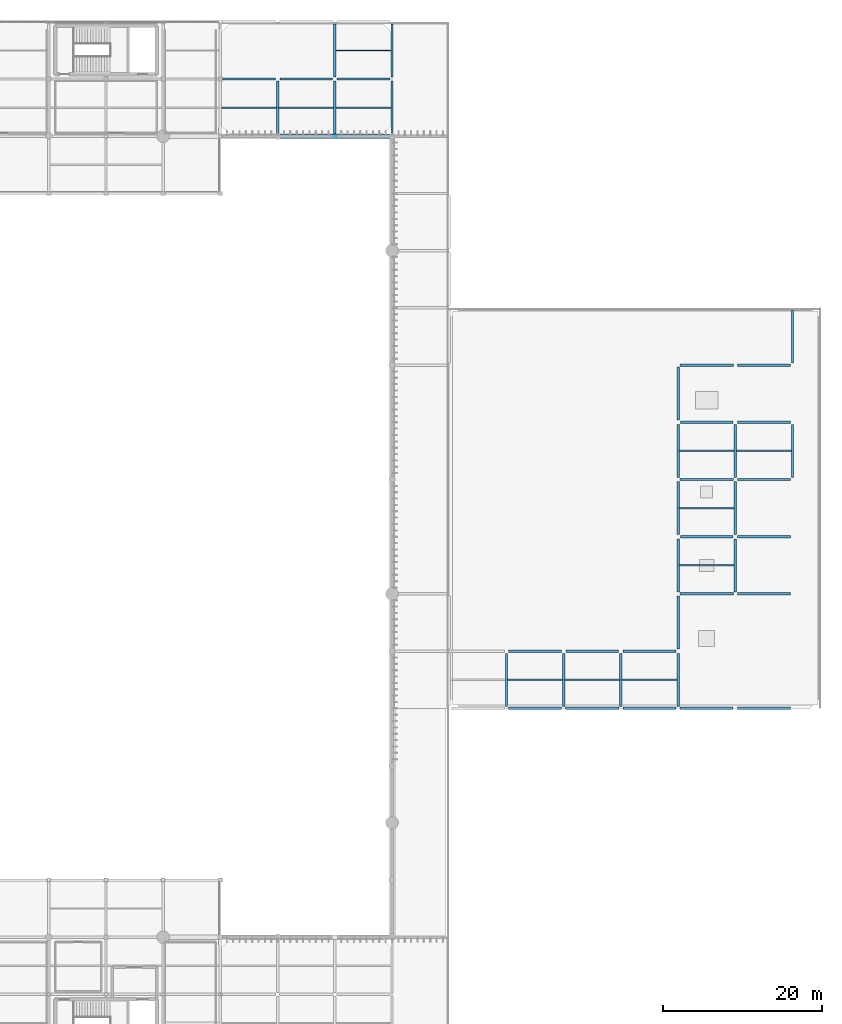
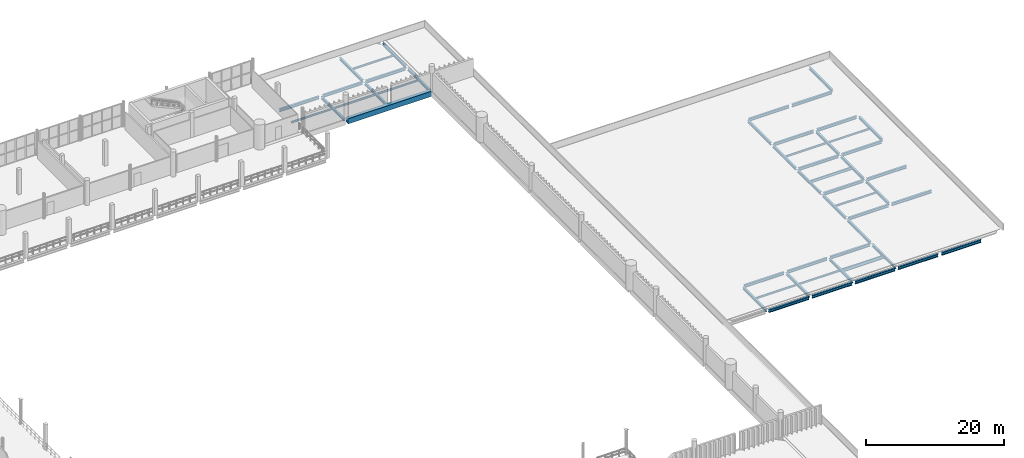
# One storey, part 42 of 81: 52 beams.
"""IFC4 building model written with IfcOpenShell, lengths in metres."""

from ifc_helpers import new_model, si_unit, direction, frame, origin, origin_2d, place, context, subcontext, project, spatial, rectangle, i_section, extrude, material, material_profile, profile_set, type_object, element, save


model = new_model("IFC4")

# Units and contexts
model_context = context("Model", 3, precision=1e-05, world=origin(), true_north=direction((0.0, 1.0)))
body_context = subcontext(model_context, "Body", "Model", "MODEL_VIEW")
ifc_project = project(units=[si_unit("LENGTHUNIT", "METRE"), si_unit("AREAUNIT", "SQUARE_METRE"), si_unit("VOLUMEUNIT", "CUBIC_METRE"), si_unit("PLANEANGLEUNIT", "RADIAN"), si_unit("MASSUNIT", "GRAM", prefix="KILO")], contexts=[model_context])

# Site, building, storey
site_placement = place(None, origin())
site = spatial("IfcSite", under=ifc_project, at=site_placement, CompositionType="ELEMENT")
building_placement = place(site_placement, origin())
building = spatial("IfcBuilding", under=site, at=building_placement, Name="Qandorah Velis Arena", CompositionType="ELEMENT")
storey_placement = place(building_placement, frame((0.0, 0.0, 18.60009765625)))
storey = spatial("IfcBuildingStorey", under=building, at=storey_placement, Name="L04", CompositionType="ELEMENT", Elevation=18.60009765625)

# Beams
ifc_material_1 = material(Name="Steel S355", Category="steel")
ifc_material_profile_1 = material_profile(ifc_material_1, i_section(OverallWidth=0.300048828125, OverallDepth=0.449951171875, WebThickness=0.013916015625, FlangeThickness=0.02587890625, FilletRadius=0.027099609375, at=origin_2d()), Name="HEB 450")
ifc_profile_set_1 = profile_set([ifc_material_profile_1], Name="Steel S355")
beam_type_1 = type_object("IfcBeamType", Name="STR-BM-HEB450", PredefinedType="BEAM", material=ifc_profile_set_1)
beam_1_placement = place(storey_placement, frame((100.800048828125, 115.550048828125, -0.4951171875), z_axis=(0.0, 1.0, 0.0), x_axis=(-1.0, 0.0, 0.0)))
element("IfcBeam", 1, at=beam_1_placement, inside=storey, type_object=beam_type_1, Name="Primary floor girder L04 Y-242", PredefinedType="BEAM", context=body_context, shape_type="SweptSolid", body=[
    extrude(i_section(OverallWidth=0.300048828125, OverallDepth=0.449951171875, WebThickness=0.013916015625, FlangeThickness=0.02587890625, FilletRadius=0.027099609375, at=origin_2d()), origin(), (0.0, 0.0, 1.0), 6.574951171875),
])
for number, where, z_axis, x_axis, name in (
    (2, (108.0, 115.449951171875, -0.4951171875), (0.0, 1.0, 0.0), (-1.0, 0.0, 0.0), "Primary floor girder L04 Y-245"),
    (3, (108.0, 122.675048828125, -0.4951171875), (0.0, 1.0, 0.0), (-1.0, 0.0, 0.0), "Primary floor girder L04 Y-246"),
):
    element("IfcBeam", number, at=place(storey_placement, frame(where, z_axis=z_axis, x_axis=x_axis)), inside=storey, type_object=beam_type_1, Name=name, PredefinedType="BEAM", context=body_context, shape_type="SweptSolid", body=[
        extrude(i_section(OverallWidth=0.300048828125, OverallDepth=0.449951171875, WebThickness=0.013916015625, FlangeThickness=0.02587890625, FilletRadius=0.027099609375, at=origin_2d()), origin(), (0.0, 0.0, 1.0), 6.675048828125),
    ])
beam_2_placement = place(storey_placement, frame((115.199951171875, 115.550048828125, -0.4951171875), z_axis=(0.0, 1.0, 0.0), x_axis=(-1.0, 0.0, 0.0)))
element("IfcBeam", 4, at=beam_2_placement, inside=storey, type_object=beam_type_1, Name="Primary floor girder L04 Y-249", PredefinedType="BEAM", context=body_context, shape_type="SweptSolid", body=[
    extrude(i_section(OverallWidth=0.300048828125, OverallDepth=0.449951171875, WebThickness=0.013916015625, FlangeThickness=0.02587890625, FilletRadius=0.027099609375, at=origin_2d()), origin(), (0.0, 0.0, 1.0), 6.574951171875),
])
for number, where, z_axis, x_axis, name in (
    (5, (115.199951171875, 122.675048828125, -0.4951171875), (0.0, 1.0, 0.0), (-1.0, 0.0, 0.0), "Primary floor girder L04 Y-250"),
    (6, (129.60009765625, 43.449951171875, -0.4951171875), (0.0, 1.0, 0.0), (-1.0, 0.0, 0.0), "Primary floor girder L04 Y-256"),
    (7, (136.800048828125, 43.449951171875, -0.4951171875), (0.0, 1.0, 0.0), (-1.0, 0.0, 0.0), "Primary floor girder L04 Y-257"),
    (8, (144.0, 43.449951171875, -0.4951171875), (0.0, 1.0, 0.0), (-1.0, 0.0, 0.0), "Primary floor girder L04 Y-258"),
    (9, (151.199951171875, 43.449951171875, -0.4951171875), (0.0, 1.0, 0.0), (-1.0, 0.0, 0.0), "Primary floor girder L04 Y-259"),
    (10, (151.199951171875, 50.675048828125, -0.4951171875), (0.0, 1.0, 0.0), (-1.0, 0.0, 0.0), "Primary floor girder L04 Y-260"),
):
    element("IfcBeam", number, at=place(storey_placement, frame(where, z_axis=z_axis, x_axis=x_axis)), inside=storey, type_object=beam_type_1, Name=name, PredefinedType="BEAM", context=body_context, shape_type="SweptSolid", body=[
        extrude(i_section(OverallWidth=0.300048828125, OverallDepth=0.449951171875, WebThickness=0.013916015625, FlangeThickness=0.02587890625, FilletRadius=0.027099609375, at=origin_2d()), origin(), (0.0, 0.0, 1.0), 6.675048828125),
    ])
beam_3_placement = place(storey_placement, frame((151.199951171875, 57.85009765625, -0.4951171875), z_axis=(0.0, 1.0, 0.0), x_axis=(-1.0, 0.0, 0.0)))
element("IfcBeam", 11, at=beam_3_placement, inside=storey, type_object=beam_type_1, Name="Primary floor girder L04 Y-261", PredefinedType="BEAM", context=body_context, shape_type="SweptSolid", body=[
    extrude(i_section(OverallWidth=0.300048828125, OverallDepth=0.449951171875, WebThickness=0.013916015625, FlangeThickness=0.02587890625, FilletRadius=0.027099609375, at=origin_2d()), origin(), (0.0, 0.0, 1.0), 6.6748046875),
])
for number, where, z_axis, x_axis, name in (
    (12, (151.199951171875, 65.074951171875, -0.4951171875), (0.0, 1.0, 0.0), (-1.0, 0.0, 0.0), "Primary floor girder L04 Y-262"),
    (13, (151.199951171875, 72.25, -0.4951171875), (0.0, 1.0, 0.0), (-1.0, 0.0, 0.0), "Primary floor girder L04 Y-263"),
):
    element("IfcBeam", number, at=place(storey_placement, frame(where, z_axis=z_axis, x_axis=x_axis)), inside=storey, type_object=beam_type_1, Name=name, PredefinedType="BEAM", context=body_context, shape_type="SweptSolid", body=[
        extrude(i_section(OverallWidth=0.300048828125, OverallDepth=0.449951171875, WebThickness=0.013916015625, FlangeThickness=0.02587890625, FilletRadius=0.027099609375, at=origin_2d()), origin(), (0.0, 0.0, 1.0), 6.675048828125),
    ])
for number, where, z_axis, x_axis, name in (
    (14, (151.199951171875, 79.47509765625, -0.4951171875), (0.0, 1.0, 0.0), (-1.0, 0.0, 0.0), "Primary floor girder L04 Y-264"),
    (15, (158.39990234375, 57.85009765625, -0.4951171875), (0.0, 1.0, 0.0), (-1.0, 0.0, 0.0), "Primary floor girder L04 Y-265"),
):
    element("IfcBeam", number, at=place(storey_placement, frame(where, z_axis=z_axis, x_axis=x_axis)), inside=storey, type_object=beam_type_1, Name=name, PredefinedType="BEAM", context=body_context, shape_type="SweptSolid", body=[
        extrude(i_section(OverallWidth=0.300048828125, OverallDepth=0.449951171875, WebThickness=0.013916015625, FlangeThickness=0.02587890625, FilletRadius=0.027099609375, at=origin_2d()), origin(), (0.0, 0.0, 1.0), 6.6748046875),
    ])
for number, where, z_axis, x_axis, name in (
    (16, (158.39990234375, 65.074951171875, -0.4951171875), (0.0, 1.0, 0.0), (-1.0, 0.0, 0.0), "Primary floor girder L04 Y-266"),
    (17, (158.39990234375, 72.25, -0.4951171875), (0.0, 1.0, 0.0), (-1.0, 0.0, 0.0), "Primary floor girder L04 Y-267"),
    (18, (165.60009765625, 72.25, -0.4951171875), (0.0, 1.0, 0.0), (-1.0, 0.0, 0.0), "Primary floor girder L04 Y-268"),
    (19, (165.60009765625, 86.64990234375, -0.4951171875), (0.0, 1.0, 0.0), (-1.0, 0.0, 0.0), "Primary floor girder L04 Y-269"),
):
    element("IfcBeam", number, at=place(storey_placement, frame(where, z_axis=z_axis, x_axis=x_axis)), inside=storey, type_object=beam_type_1, Name=name, PredefinedType="BEAM", context=body_context, shape_type="SweptSolid", body=[
        extrude(i_section(OverallWidth=0.300048828125, OverallDepth=0.449951171875, WebThickness=0.013916015625, FlangeThickness=0.02587890625, FilletRadius=0.027099609375, at=origin_2d()), origin(), (0.0, 0.0, 1.0), 6.675048828125),
    ])
ifc_material_profile_2 = material_profile(ifc_material_1, i_section(OverallWidth=0.300048828125, OverallDepth=0.5, WebThickness=0.014404296875, FlangeThickness=0.028076171875, FilletRadius=0.027099609375, at=origin_2d()), Name="HEB 500")
ifc_profile_set_2 = profile_set([ifc_material_profile_2], Name="Steel S355")
beam_type_2 = type_object("IfcBeamType", Name="STR-BM-HEB500", PredefinedType="BEAM", material=ifc_profile_set_2)
for number, where, z_axis, x_axis, name in (
    (20, (129.85009765625, 43.199951171875, -0.52001953125), (1.0, 0.0, 0.0), (0.0, 1.0, 0.0), "Primary floor girder L04 X-056"),
    (21, (137.050048828125, 43.199951171875, -0.52001953125), (1.0, 0.0, 0.0), (0.0, 1.0, 0.0), "Primary floor girder L04 X-057"),
    (22, (144.25, 43.199951171875, -0.52001953125), (1.0, 0.0, 0.0), (0.0, 1.0, 0.0), "Primary floor girder L04 X-058"),
):
    element("IfcBeam", number, at=place(storey_placement, frame(where, z_axis=z_axis, x_axis=x_axis)), inside=storey, type_object=beam_type_2, Name=name, PredefinedType="BEAM", context=body_context, shape_type="SweptSolid", body=[
        extrude(i_section(OverallWidth=0.300048828125, OverallDepth=0.5, WebThickness=0.014404296875, FlangeThickness=0.028076171875, FilletRadius=0.027099609375, at=origin_2d()), origin(), (0.0, 0.0, 1.0), 6.699951171875),
    ])
beam_4_placement = place(storey_placement, frame((151.449951171875, 43.199951171875, -0.52001953125), z_axis=(1.0, 0.0, 0.0), x_axis=(0.0, 1.0, 0.0)))
element("IfcBeam", 23, at=beam_4_placement, inside=storey, type_object=beam_type_2, Name="Primary floor girder L04 X-059", PredefinedType="BEAM", context=body_context, shape_type="SweptSolid", body=[
    extrude(i_section(OverallWidth=0.300048828125, OverallDepth=0.5, WebThickness=0.014404296875, FlangeThickness=0.028076171875, FilletRadius=0.027099609375, at=origin_2d()), origin(), (0.0, 0.0, 1.0), 6.675048828125),
])
for number, where, z_axis, x_axis, name in (
    (24, (158.675048828125, 43.199951171875, -0.52001953125), (1.0, 0.0, 0.0), (0.0, 1.0, 0.0), "Primary floor girder L04 X-060"),
    (25, (129.875, 50.39990234375, -0.52001953125), (1.0, 0.0, 0.0), (0.0, 1.0, 0.0), "Primary floor girder L04 X-065"),
):
    element("IfcBeam", number, at=place(storey_placement, frame(where, z_axis=z_axis, x_axis=x_axis)), inside=storey, type_object=beam_type_2, Name=name, PredefinedType="BEAM", context=body_context, shape_type="SweptSolid", body=[
        extrude(i_section(OverallWidth=0.300048828125, OverallDepth=0.5, WebThickness=0.014404296875, FlangeThickness=0.028076171875, FilletRadius=0.027099609375, at=origin_2d()), origin(), (0.0, 0.0, 1.0), 6.64990234375),
    ])
for number, where, z_axis, x_axis, name in (
    (26, (137.074951171875, 50.39990234375, -0.52001953125), (1.0, 0.0, 0.0), (0.0, 1.0, 0.0), "Primary floor girder L04 X-066"),
    (27, (144.27490234375, 50.39990234375, -0.52001953125), (1.0, 0.0, 0.0), (0.0, 1.0, 0.0), "Primary floor girder L04 X-067"),
):
    element("IfcBeam", number, at=place(storey_placement, frame(where, z_axis=z_axis, x_axis=x_axis)), inside=storey, type_object=beam_type_2, Name=name, PredefinedType="BEAM", context=body_context, shape_type="SweptSolid", body=[
        extrude(i_section(OverallWidth=0.300048828125, OverallDepth=0.5, WebThickness=0.014404296875, FlangeThickness=0.028076171875, FilletRadius=0.027099609375, at=origin_2d()), origin(), (0.0, 0.0, 1.0), 6.650146484375),
    ])
beam_5_placement = place(storey_placement, frame((151.449951171875, 57.60009765625, -0.52001953125), z_axis=(1.0, 0.0, 0.0), x_axis=(0.0, 1.0, 0.0)))
element("IfcBeam", 28, at=beam_5_placement, inside=storey, type_object=beam_type_2, Name="Primary floor girder L04 X-071", PredefinedType="BEAM", context=body_context, shape_type="SweptSolid", body=[
    extrude(i_section(OverallWidth=0.300048828125, OverallDepth=0.5, WebThickness=0.014404296875, FlangeThickness=0.028076171875, FilletRadius=0.027099609375, at=origin_2d()), origin(), (0.0, 0.0, 1.0), 6.699951171875),
])
beam_6_placement = place(storey_placement, frame((158.64990234375, 57.60009765625, -0.52001953125), z_axis=(1.0, 0.0, 0.0), x_axis=(0.0, 1.0, 0.0)))
element("IfcBeam", 29, at=beam_6_placement, inside=storey, type_object=beam_type_2, Name="Primary floor girder L04 X-072", PredefinedType="BEAM", context=body_context, shape_type="SweptSolid", body=[
    extrude(i_section(OverallWidth=0.300048828125, OverallDepth=0.5, WebThickness=0.014404296875, FlangeThickness=0.028076171875, FilletRadius=0.027099609375, at=origin_2d()), origin(), (0.0, 0.0, 1.0), 6.7001953125),
])
for number, where, z_axis, x_axis, name in (
    (30, (151.47509765625, 64.800048828125, -0.52001953125), (1.0, 0.0, 0.0), (0.0, 1.0, 0.0), "Primary floor girder L04 X-076"),
    (31, (158.675048828125, 64.800048828125, -0.52001953125), (1.0, 0.0, 0.0), (0.0, 1.0, 0.0), "Primary floor girder L04 X-077"),
):
    element("IfcBeam", number, at=place(storey_placement, frame(where, z_axis=z_axis, x_axis=x_axis)), inside=storey, type_object=beam_type_2, Name=name, PredefinedType="BEAM", context=body_context, shape_type="SweptSolid", body=[
        extrude(i_section(OverallWidth=0.300048828125, OverallDepth=0.5, WebThickness=0.014404296875, FlangeThickness=0.028076171875, FilletRadius=0.027099609375, at=origin_2d()), origin(), (0.0, 0.0, 1.0), 6.64990234375),
    ])
beam_7_placement = place(storey_placement, frame((151.449951171875, 72.0, -0.52001953125), z_axis=(1.0, 0.0, 0.0), x_axis=(0.0, 1.0, 0.0)))
element("IfcBeam", 32, at=beam_7_placement, inside=storey, type_object=beam_type_2, Name="Primary floor girder L04 X-080", PredefinedType="BEAM", context=body_context, shape_type="SweptSolid", body=[
    extrude(i_section(OverallWidth=0.300048828125, OverallDepth=0.5, WebThickness=0.014404296875, FlangeThickness=0.028076171875, FilletRadius=0.027099609375, at=origin_2d()), origin(), (0.0, 0.0, 1.0), 6.699951171875),
])
beam_8_placement = place(storey_placement, frame((158.64990234375, 72.0, -0.52001953125), z_axis=(1.0, 0.0, 0.0), x_axis=(0.0, 1.0, 0.0)))
element("IfcBeam", 33, at=beam_8_placement, inside=storey, type_object=beam_type_2, Name="Primary floor girder L04 X-081", PredefinedType="BEAM", context=body_context, shape_type="SweptSolid", body=[
    extrude(i_section(OverallWidth=0.300048828125, OverallDepth=0.5, WebThickness=0.014404296875, FlangeThickness=0.028076171875, FilletRadius=0.027099609375, at=origin_2d()), origin(), (0.0, 0.0, 1.0), 6.7001953125),
])
for number, where, z_axis, x_axis, name in (
    (34, (151.47509765625, 79.199951171875, -0.52001953125), (1.0, 0.0, 0.0), (0.0, 1.0, 0.0), "Primary floor girder L04 X-084"),
    (35, (158.675048828125, 79.199951171875, -0.52001953125), (1.0, 0.0, 0.0), (0.0, 1.0, 0.0), "Primary floor girder L04 X-085"),
):
    element("IfcBeam", number, at=place(storey_placement, frame(where, z_axis=z_axis, x_axis=x_axis)), inside=storey, type_object=beam_type_2, Name=name, PredefinedType="BEAM", context=body_context, shape_type="SweptSolid", body=[
        extrude(i_section(OverallWidth=0.300048828125, OverallDepth=0.5, WebThickness=0.014404296875, FlangeThickness=0.028076171875, FilletRadius=0.027099609375, at=origin_2d()), origin(), (0.0, 0.0, 1.0), 6.64990234375),
    ])
beam_9_placement = place(storey_placement, frame((151.449951171875, 86.39990234375, -0.52001953125), z_axis=(1.0, 0.0, 0.0), x_axis=(0.0, 1.0, 0.0)))
element("IfcBeam", 36, at=beam_9_placement, inside=storey, type_object=beam_type_2, Name="Primary floor girder L04 X-089", PredefinedType="BEAM", context=body_context, shape_type="SweptSolid", body=[
    extrude(i_section(OverallWidth=0.300048828125, OverallDepth=0.5, WebThickness=0.014404296875, FlangeThickness=0.028076171875, FilletRadius=0.027099609375, at=origin_2d()), origin(), (0.0, 0.0, 1.0), 6.699951171875),
])
beam_10_placement = place(storey_placement, frame((158.64990234375, 86.39990234375, -0.52001953125), z_axis=(1.0, 0.0, 0.0), x_axis=(0.0, 1.0, 0.0)))
element("IfcBeam", 37, at=beam_10_placement, inside=storey, type_object=beam_type_2, Name="Primary floor girder L04 X-090", PredefinedType="BEAM", context=body_context, shape_type="SweptSolid", body=[
    extrude(i_section(OverallWidth=0.300048828125, OverallDepth=0.5, WebThickness=0.014404296875, FlangeThickness=0.028076171875, FilletRadius=0.027099609375, at=origin_2d()), origin(), (0.0, 0.0, 1.0), 6.7001953125),
])
beam_11_placement = place(storey_placement, frame((93.875, 122.39990234375, -0.52001953125), z_axis=(1.0, 0.0, 0.0), x_axis=(0.0, 1.0, 0.0)))
element("IfcBeam", 38, at=beam_11_placement, inside=storey, type_object=beam_type_2, Name="Primary floor girder L04 X-131", PredefinedType="BEAM", context=body_context, shape_type="SweptSolid", body=[
    extrude(i_section(OverallWidth=0.300048828125, OverallDepth=0.5, WebThickness=0.014404296875, FlangeThickness=0.028076171875, FilletRadius=0.027099609375, at=origin_2d()), origin(), (0.0, 0.0, 1.0), 6.64990234375),
])
for number, where, z_axis, x_axis, name in (
    (39, (101.074951171875, 122.39990234375, -0.52001953125), (1.0, 0.0, 0.0), (0.0, 1.0, 0.0), "Primary floor girder L04 X-132"),
    (40, (108.27490234375, 122.39990234375, -0.52001953125), (1.0, 0.0, 0.0), (0.0, 1.0, 0.0), "Primary floor girder L04 X-133"),
):
    element("IfcBeam", number, at=place(storey_placement, frame(where, z_axis=z_axis, x_axis=x_axis)), inside=storey, type_object=beam_type_2, Name=name, PredefinedType="BEAM", context=body_context, shape_type="SweptSolid", body=[
        extrude(i_section(OverallWidth=0.300048828125, OverallDepth=0.5, WebThickness=0.014404296875, FlangeThickness=0.028076171875, FilletRadius=0.027099609375, at=origin_2d()), origin(), (0.0, 0.0, 1.0), 6.650146484375),
    ])
ifc_material_profile_3 = material_profile(ifc_material_1, i_section(OverallWidth=0.159912109375, OverallDepth=0.330078125, WebThickness=0.007568359375, FlangeThickness=0.011474609375, FilletRadius=0.01806640625, at=origin_2d()), Name="IPE 330")
ifc_profile_set_3 = profile_set([ifc_material_profile_3], Name="Steel S355")
beam_type_3 = type_object("IfcBeamType", Name="STR-JST-IPE330", PredefinedType="JOIST", material=ifc_profile_set_3)
for number, where, z_axis, x_axis, name in (
    (41, (93.735107421875, 118.800048828125, -0.43505859375), (1.0, 0.0, 0.0), (0.0, 1.0, 0.0), "Secondary floor joist L04-063"),
    (42, (100.93505859375, 118.800048828125, -0.43505859375), (1.0, 0.0, 0.0), (0.0, 1.0, 0.0), "Secondary floor joist L04-066"),
    (43, (108.135009765625, 118.800048828125, -0.43505859375), (1.0, 0.0, 0.0), (0.0, 1.0, 0.0), "Secondary floor joist L04-069"),
    (44, (108.135009765625, 126.0, -0.43505859375), (1.0, 0.0, 0.0), (0.0, 1.0, 0.0), "Secondary floor joist L04-070"),
    (45, (129.735107421875, 46.800048828125, -0.43505859375), (1.0, 0.0, 0.0), (0.0, 1.0, 0.0), "Secondary floor joist L04-072"),
    (46, (136.93505859375, 46.800048828125, -0.43505859375), (1.0, 0.0, 0.0), (0.0, 1.0, 0.0), "Secondary floor joist L04-073"),
    (47, (151.3349609375, 61.199951171875, -0.43505859375), (1.0, 0.0, 0.0), (0.0, 1.0, 0.0), "Secondary floor joist L04-075"),
    (48, (151.3349609375, 75.60009765625, -0.43505859375), (1.0, 0.0, 0.0), (0.0, 1.0, 0.0), "Secondary floor joist L04-077"),
):
    element("IfcBeam", number, at=place(storey_placement, frame(where, z_axis=z_axis, x_axis=x_axis)), inside=storey, type_object=beam_type_3, Name=name, PredefinedType="JOIST", context=body_context, shape_type="SweptSolid", body=[
        extrude(i_section(OverallWidth=0.159912109375, OverallDepth=0.330078125, WebThickness=0.007568359375, FlangeThickness=0.011474609375, FilletRadius=0.01806640625, at=origin_2d()), origin(), (0.0, 0.0, 1.0), 6.929931640625),
    ])
beam_12_placement = place(storey_placement, frame((158.534912109375, 75.60009765625, -0.43505859375), z_axis=(1.0, 0.0, 0.0), x_axis=(0.0, 1.0, 0.0)))
element("IfcBeam", 49, at=beam_12_placement, inside=storey, type_object=beam_type_3, Name="Secondary floor joist L04-078", PredefinedType="JOIST", context=body_context, shape_type="SweptSolid", body=[
    extrude(i_section(OverallWidth=0.159912109375, OverallDepth=0.330078125, WebThickness=0.007568359375, FlangeThickness=0.011474609375, FilletRadius=0.01806640625, at=origin_2d()), origin(), (0.0, 0.0, 1.0), 6.93017578125),
])
ifc_material_profile_4 = material_profile(ifc_material_1, i_section(OverallWidth=0.199951171875, OverallDepth=0.5, WebThickness=0.01025390625, FlangeThickness=0.01611328125, FilletRadius=0.02099609375, at=origin_2d()), Name="IPE 500")
ifc_profile_set_4 = profile_set([ifc_material_profile_4], Name="Steel S355")
beam_type_4 = type_object("IfcBeamType", Name="STR-JST-IPE500", PredefinedType="JOIST", material=ifc_profile_set_4)
beam_13_placement = place(storey_placement, frame((151.3349609375, 68.39990234375, -0.52001953125), z_axis=(1.0, 0.0, 0.0), x_axis=(0.0, 1.0, 0.0)))
element("IfcBeam", 50, at=beam_13_placement, inside=storey, type_object=beam_type_4, Name="Secondary floor joist L04-076", PredefinedType="JOIST", context=body_context, shape_type="SweptSolid", body=[
    extrude(i_section(OverallWidth=0.199951171875, OverallDepth=0.5, WebThickness=0.01025390625, FlangeThickness=0.01611328125, FilletRadius=0.02099609375, at=origin_2d()), origin(), (0.0, 0.0, 1.0), 6.929931640625),
])
ifc_material_profile_5 = material_profile(ifc_material_1, i_section(OverallWidth=0.219970703125, OverallDepth=0.60009765625, WebThickness=0.011962890625, FlangeThickness=0.01904296875, FilletRadius=0.02392578125, at=origin_2d()), Name="IPE 600")
ifc_profile_set_5 = profile_set([ifc_material_profile_5], Name="Steel S355")
beam_type_5 = type_object("IfcBeamType", Name="STR-JST-IPE600", PredefinedType="JOIST", material=ifc_profile_set_5)
beam_14_placement = place(storey_placement, frame((144.135009765625, 46.800048828125, -0.570068359375), z_axis=(1.0, 0.0, 0.0), x_axis=(0.0, 1.0, 0.0)))
element("IfcBeam", 51, at=beam_14_placement, inside=storey, type_object=beam_type_5, Name="Secondary floor joist L04-074", PredefinedType="JOIST", context=body_context, shape_type="SweptSolid", body=[
    extrude(i_section(OverallWidth=0.219970703125, OverallDepth=0.60009765625, WebThickness=0.011962890625, FlangeThickness=0.01904296875, FilletRadius=0.02392578125, at=origin_2d()), origin(), (0.0, 0.0, 1.0), 6.929931640625),
])
ifc_material_2 = material(Name="Concrete C40/50", Category="concrete")
ifc_material_profile_6 = material_profile(ifc_material_2, rectangle(XDim=0.60009765625, YDim=0.89990234375, at=origin_2d()), Name="RC BM 600x900")
ifc_profile_set_6 = profile_set([ifc_material_profile_6], Name="Concrete C40/50")
beam_type_6 = type_object("IfcBeamType", Name="STR-RCBM-600X900", PredefinedType="BEAM", material=ifc_profile_set_6)
beam_15_placement = place(storey_placement, frame((101.02001953125, 115.199951171875, -0.4501953125), z_axis=(1.0, 0.0, 0.0), x_axis=(0.0, 1.0, 0.0)))
element("IfcBeam", 52, at=beam_15_placement, inside=storey, type_object=beam_type_6, Name="Drum north ring beam L04-7", PredefinedType="BEAM", context=body_context, shape_type="SweptSolid", body=[
    extrude(rectangle(XDim=0.60009765625, YDim=0.89990234375, at=origin_2d()), origin(), (0.0, 0.0, 1.0), 13.9599609375),
])

save(model, "model.ifc")
